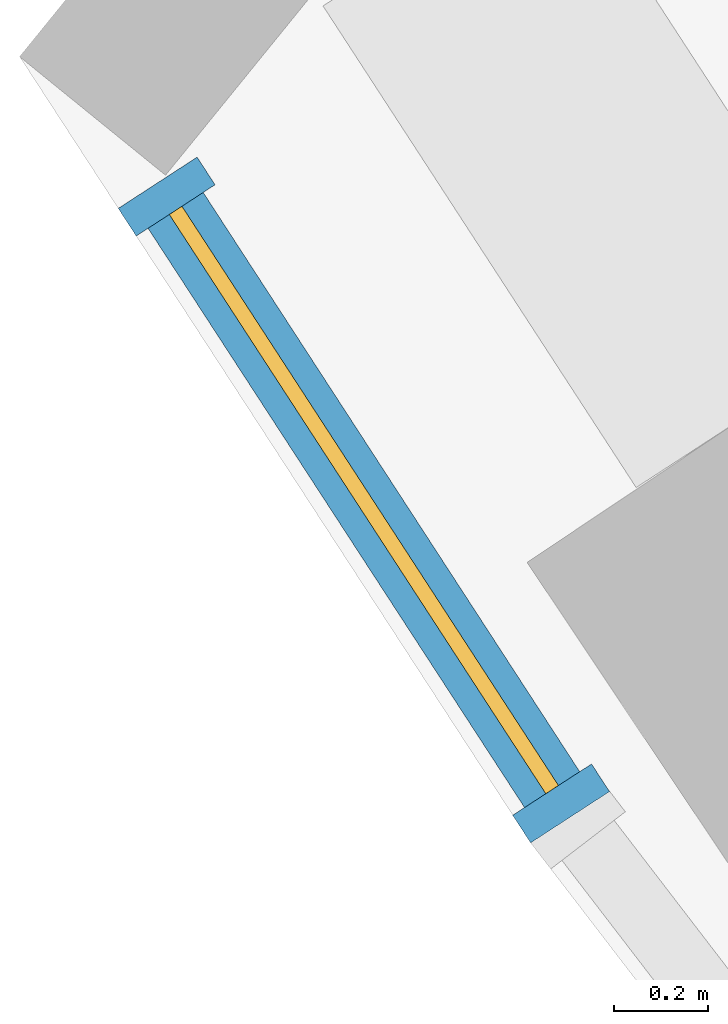
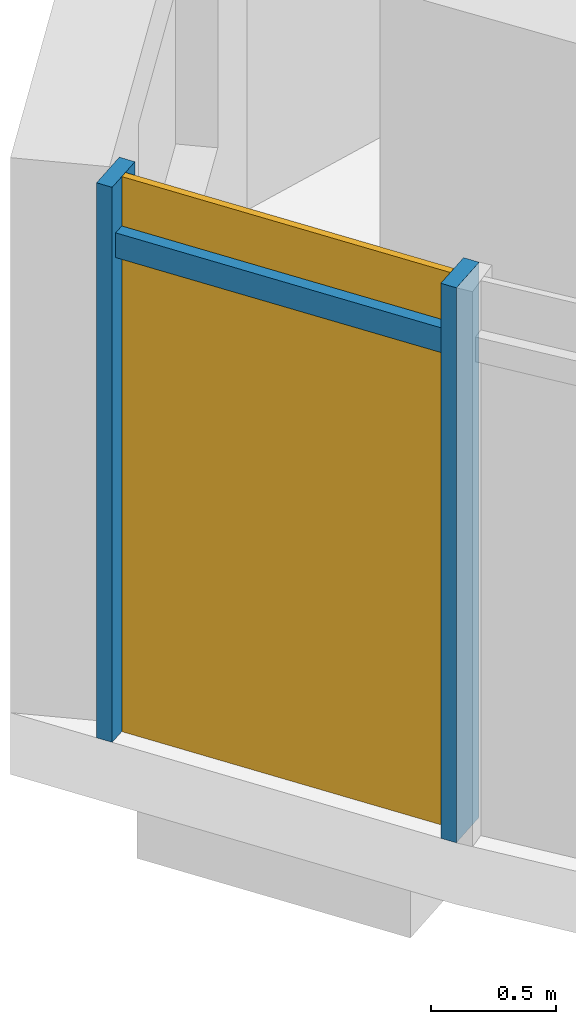
# One storey, part 19 of 27: 3 members, 1 curtain wall.
"""IFC4 building model written with IfcOpenShell, lengths in metres."""

from ifc_helpers import new_model, si_unit, direction, frame, origin, origin_2d, place, context, subcontext, project, spatial, rectangle, extrude, material, material_profile, profile_set, type_object, element, aggregate, save


model = new_model("IFC4")

# Units and contexts
model_context = context("Model", 3, precision=1e-05, world=origin(), true_north=direction((0.0, 1.0)))
body_context = subcontext(model_context, "Body", "Model", "MODEL_VIEW")
ifc_project = project(units=[si_unit("LENGTHUNIT", "METRE"), si_unit("AREAUNIT", "SQUARE_METRE"), si_unit("VOLUMEUNIT", "CUBIC_METRE"), si_unit("PLANEANGLEUNIT", "RADIAN"), si_unit("MASSUNIT", "GRAM", prefix="KILO")], contexts=[model_context])

# Member
ifc_material = material(Name="Aluminium 6063-T6 anodised", Category="aluminium")
ifc_material_profile_1 = material_profile(ifc_material, rectangle(XDim=0.199951171875, YDim=0.070068359375, at=origin_2d()))
ifc_profile_set_1 = profile_set([ifc_material_profile_1], Name="Aluminium 6063-T6 anodised")
member_type_1 = type_object("IfcMemberType", Name="Mullion 70 x 200 aluminium", PredefinedType="MULLION", material=ifc_profile_set_1)
site_placement = place(None, origin())
building_placement = place(site_placement, origin())
storey_placement = place(building_placement, frame((0.0, 0.0, 211.300048828125)))
member_1_placement = place(storey_placement, frame((-66.169189453125, -42.3212890625, 0.0), z_axis=(0.0, 0.0, 1.0), x_axis=(0.838446044711, 0.544984614561, 0.0)))
member_1 = element("IfcMember", 1, at=member_1_placement, type_object=member_type_1, Name="e-cw1-L50-out00/M00", PredefinedType="MULLION", context=body_context, shape_type="SweptSolid", body=[
    extrude(rectangle(XDim=0.199951171875, YDim=0.070068359375, at=origin_2d()), origin(), (0.0, 0.0, 1.0), 2.699951171875),
])

member_2_placement = place(storey_placement, frame((-65.330322265625, -43.61181640625, 0.0), z_axis=(0.0, 0.0, 1.0), x_axis=(0.838446044711, 0.544984614561, 0.0)))
member_2 = element("IfcMember", 2, at=member_2_placement, type_object=member_type_1, Name="e-cw1-L50-out00/M01", PredefinedType="MULLION", context=body_context, shape_type="SweptSolid", body=[
    extrude(rectangle(XDim=0.199951171875, YDim=0.070068359375, at=origin_2d()), origin(), (0.0, 0.0, 1.0), 2.699951171875),
])

ifc_material_profile_2 = material_profile(ifc_material, rectangle(XDim=0.139892578125, YDim=0.1201171875, at=origin_2d()))
ifc_profile_set_2 = profile_set([ifc_material_profile_2], Name="Aluminium 6063-T6 anodised")
member_type_2 = type_object("IfcMemberType", Name="Transom 120 x 140 aluminium", PredefinedType="USERDEFINED", material=ifc_profile_set_2)
member_3_placement = place(storey_placement, frame((-66.150146484375, -42.3505859375, 2.39990234375), z_axis=(0.545000031284, -0.838436023737, 0.0), x_axis=(0.838436023737, 0.545000031284, 0.0)))
member_3 = element("IfcMember", 3, at=member_3_placement, type_object=member_type_2, Name="e-cw1-L50-out00/T00", ObjectType="TRANSOM", PredefinedType="USERDEFINED", context=body_context, shape_type="SweptSolid", body=[
    extrude(rectangle(XDim=0.139892578125, YDim=0.1201171875, at=origin_2d()), origin(), (0.0, 0.0, 1.0), 1.46923828125),
])

# Site, building, storey
site = spatial("IfcSite", under=ifc_project, at=site_placement, CompositionType="ELEMENT")
building = spatial("IfcBuilding", under=site, at=building_placement, Name="Qamariyya Broadcast Tower", CompositionType="ELEMENT")
storey = spatial("IfcBuildingStorey", under=building, at=storey_placement, Name="L50", CompositionType="ELEMENT", Elevation=211.300048828125)

# Curtain wall
curtain_wall_type = type_object("IfcCurtainWallType", Name="Unitised curtain wall, anodised aluminium", PredefinedType="NOTDEFINED", material=ifc_material)
curtain_wall_placement = place(storey_placement, origin())
curtain_wall = element("IfcCurtainWall", 4, at=curtain_wall_placement, inside=storey, type_object=curtain_wall_type, Name="e-cw1-L50-out00", PredefinedType="NOTDEFINED", context=body_context, shape_type="SweptSolid", body=[
    extrude(rectangle(XDim=1.468994140625, YDim=0.031982421875, at=origin_2d()), frame((-65.749755859375, -42.966552734375, 0.0), x_axis=(0.544999016687, -0.838436683244, 0.0)), (0.0, 0.0, 1.0), 2.340087890625),
    extrude(rectangle(XDim=1.468994140625, YDim=0.031982421875, at=origin_2d()), frame((-65.749755859375, -42.966552734375, 2.4599609375), x_axis=(0.544999016687, -0.838436683244, 0.0)), (0.0, 0.0, 1.0), 0.239990234375),
])

aggregate(curtain_wall, [member_1, member_2, member_3])

save(model, "model.ifc")
